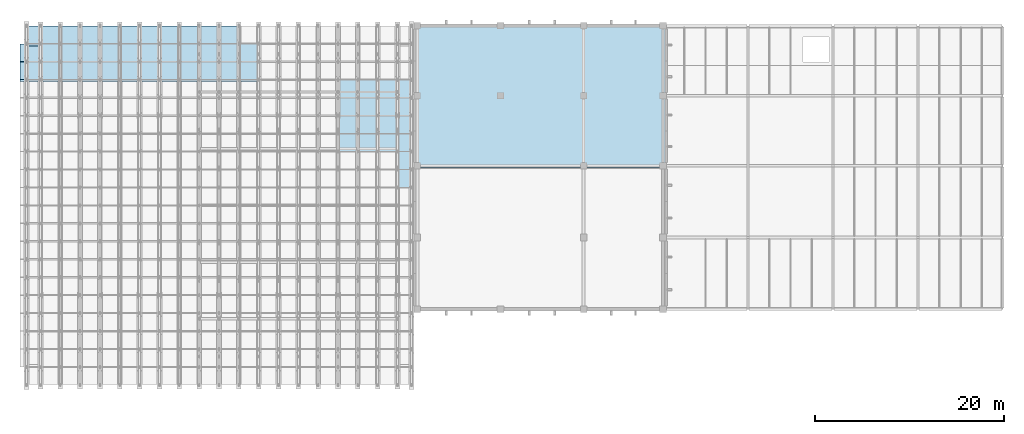
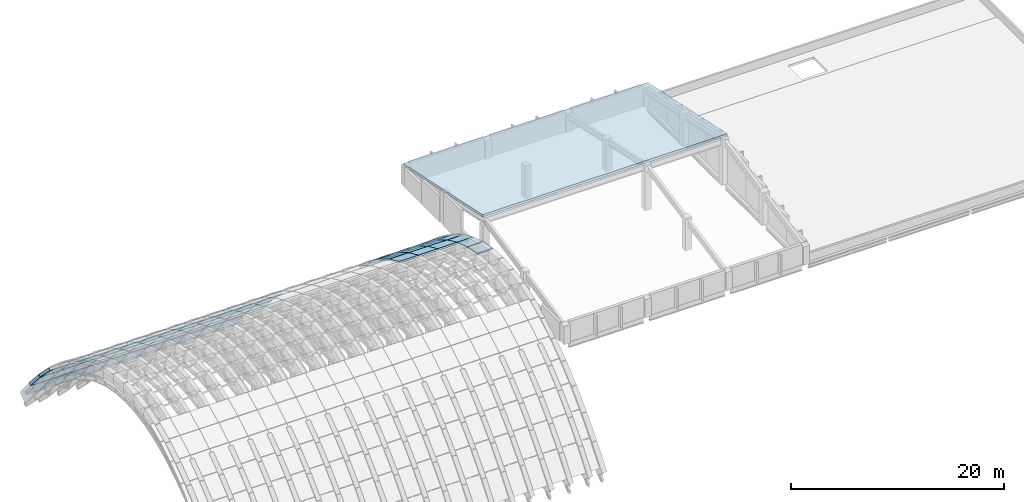
# One storey, part 56 of 67: 53 plates, 1 slab, 1 element without a shape of its own.
"""IFC4 building model written with IfcOpenShell, lengths in metres."""

from ifc_helpers import new_model, si_unit, direction, frame, origin, place, context, subcontext, project, spatial, polyline, outline, extrude, material, layer, layer_set, type_object, element, aggregate, save


model = new_model("IFC4")

# Units and contexts
model_context = context("Model", 3, precision=1e-05, world=origin(), true_north=direction((0.0, 1.0)))
body_context = subcontext(model_context, "Body", "Model", "MODEL_VIEW")
ifc_project = project(units=[si_unit("LENGTHUNIT", "METRE"), si_unit("AREAUNIT", "SQUARE_METRE"), si_unit("VOLUMEUNIT", "CUBIC_METRE"), si_unit("PLANEANGLEUNIT", "RADIAN"), si_unit("MASSUNIT", "GRAM", prefix="KILO")], contexts=[model_context])

# Site, building, storey
site_placement = place(None, origin())
site = spatial("IfcSite", under=ifc_project, at=site_placement, CompositionType="ELEMENT")
building_placement = place(site_placement, origin())
building = spatial("IfcBuilding", under=site, at=building_placement, Name="Shengluoqiao Park Theatre", CompositionType="ELEMENT")
storey_placement = place(building_placement, frame((0.0, 0.0, 28.60009765625)))
storey = spatial("IfcBuildingStorey", under=building, at=storey_placement, Name="Roof", CompositionType="ELEMENT", Elevation=28.60009765625)

# Roof, plates
ifc_material = material(Name="Concrete C50", Category="concrete")
roof_type = type_object("IfcRoofType", Name="STR-ROOF-BARREL", PredefinedType="BARREL_ROOF", material=ifc_material)
roof_placement = place(storey_placement, origin())
roof = element("IfcRoof", 1, at=roof_placement, inside=storey, type_object=roof_type, Name="Main Theatre Barrel-Vault Thin-Shell Roof", PredefinedType="BARREL_ROOF")
ifc_layer_1 = layer(ifc_material, 0.340087890625, Name="Concrete C50")
ifc_layer_set_1 = layer_set([ifc_layer_1], Name="Concrete C50")
plate_type_1 = type_object("IfcPlateType", Name="STR-SHP-SP-01", PredefinedType="USERDEFINED", material=ifc_layer_set_1)
plate_1_placement = place(storey_placement, frame((44.97998046875, 112.117919921875, -7.027587890625), z_axis=(0.0, 0.783285756394, 0.621661824331), x_axis=(1.0, 0.0, 0.0)))
plate_1 = element("IfcPlate", 2, at=plate_1_placement, type_object=plate_type_1, Name="Barrel-Vault Shell Panel B01-S20", ObjectType="SHELL PANEL", PredefinedType="USERDEFINED", context=body_context, shape_type="SweptSolid", body=[
    extrude(outline(polyline([(0.0, 0.0), (1.52001953125, 0.0), (1.52001953125, 2.998436768866167), (0.0, 2.998436768866167), (0.0, 0.0)])), origin(), (0.0, 0.0, -1.0), 0.340087890625),
])
plate_2_placement = place(storey_placement, frame((46.5, 112.117919921875, -7.027587890625), z_axis=(0.0, 0.783285756394, 0.621661824331), x_axis=(1.0, 0.0, 0.0)))
plate_2 = element("IfcPlate", 3, at=plate_2_placement, type_object=plate_type_1, Name="Barrel-Vault Shell Panel B02-S20", ObjectType="SHELL PANEL", PredefinedType="USERDEFINED", context=body_context, shape_type="SweptSolid", body=[
    extrude(outline(polyline([(0.0, 0.0), (2.10009765625, 0.0), (2.10009765625, 2.998436768866167), (0.0, 2.998436768866167), (0.0, 0.0)])), origin(), (0.0, 0.0, -1.0), 0.340087890625),
])
plate_3_placement = place(storey_placement, frame((48.60009765625, 112.117919921875, -7.027587890625), z_axis=(0.0, 0.783285756394, 0.621661824331), x_axis=(1.0, 0.0, 0.0)))
plate_3 = element("IfcPlate", 4, at=plate_3_placement, type_object=plate_type_1, Name="Barrel-Vault Shell Panel B03-S20", ObjectType="SHELL PANEL", PredefinedType="USERDEFINED", context=body_context, shape_type="SweptSolid", body=[
    extrude(outline(polyline([(0.0, 0.0), (2.099853515625, 0.0), (2.099853515625, 2.9984367688661675), (0.0, 2.9984367688661675), (0.0, 0.0)])), origin(), (0.0, 0.0, -1.0), 0.340087890625),
])
plate_4_placement = place(storey_placement, frame((50.699951171875, 112.117919921875, -7.027587890625), z_axis=(0.0, 0.783285756394, 0.621661824331), x_axis=(1.0, 0.0, 0.0)))
plate_4 = element("IfcPlate", 5, at=plate_4_placement, type_object=plate_type_1, Name="Barrel-Vault Shell Panel B04-S20", ObjectType="SHELL PANEL", PredefinedType="USERDEFINED", context=body_context, shape_type="SweptSolid", body=[
    extrude(outline(polyline([(0.0, 0.0), (2.10009765625, 0.0), (2.10009765625, 2.998436768866167), (0.0, 2.998436768866167), (0.0, 0.0)])), origin(), (0.0, 0.0, -1.0), 0.340087890625),
])
plate_5_placement = place(storey_placement, frame((52.800048828125, 112.117919921875, -7.027587890625), z_axis=(0.0, 0.783285756394, 0.621661824331), x_axis=(1.0, 0.0, 0.0)))
plate_5 = element("IfcPlate", 6, at=plate_5_placement, type_object=plate_type_1, Name="Barrel-Vault Shell Panel B05-S20", ObjectType="SHELL PANEL", PredefinedType="USERDEFINED", context=body_context, shape_type="SweptSolid", body=[
    extrude(outline(polyline([(0.0, 0.0), (2.099853515625, 0.0), (2.099853515625, 2.9984367688661675), (0.0, 2.9984367688661675), (0.0, 0.0)])), origin(), (0.0, 0.0, -1.0), 0.340087890625),
])
plate_6_placement = place(storey_placement, frame((54.89990234375, 112.117919921875, -7.027587890625), z_axis=(0.0, 0.783285756394, 0.621661824331), x_axis=(1.0, 0.0, 0.0)))
plate_6 = element("IfcPlate", 7, at=plate_6_placement, type_object=plate_type_1, Name="Barrel-Vault Shell Panel B06-S20", ObjectType="SHELL PANEL", PredefinedType="USERDEFINED", context=body_context, shape_type="SweptSolid", body=[
    extrude(outline(polyline([(0.0, 0.0), (2.10009765625, 0.0), (2.10009765625, 2.998436768866167), (0.0, 2.998436768866167), (0.0, 0.0)])), origin(), (0.0, 0.0, -1.0), 0.340087890625),
])
plate_7_placement = place(storey_placement, frame((57.0, 112.117919921875, -7.027587890625), z_axis=(0.0, 0.783285756394, 0.621661824331), x_axis=(1.0, 0.0, 0.0)))
plate_7 = element("IfcPlate", 8, at=plate_7_placement, type_object=plate_type_1, Name="Barrel-Vault Shell Panel B07-S20", ObjectType="SHELL PANEL", PredefinedType="USERDEFINED", context=body_context, shape_type="SweptSolid", body=[
    extrude(outline(polyline([(0.0, 0.0), (2.10009765625, 0.0), (2.10009765625, 2.998436768866167), (0.0, 2.998436768866167), (0.0, 0.0)])), origin(), (0.0, 0.0, -1.0), 0.340087890625),
])
plate_8_placement = place(storey_placement, frame((59.10009765625, 112.117919921875, -7.027587890625), z_axis=(0.0, 0.783285756394, 0.621661824331), x_axis=(1.0, 0.0, 0.0)))
plate_8 = element("IfcPlate", 9, at=plate_8_placement, type_object=plate_type_1, Name="Barrel-Vault Shell Panel B08-S20", ObjectType="SHELL PANEL", PredefinedType="USERDEFINED", context=body_context, shape_type="SweptSolid", body=[
    extrude(outline(polyline([(0.0, 0.0), (2.099853515625, 0.0), (2.099853515625, 2.9984367688661675), (0.0, 2.9984367688661675), (0.0, 0.0)])), origin(), (0.0, 0.0, -1.0), 0.340087890625),
])
plate_9_placement = place(storey_placement, frame((61.199951171875, 112.117919921875, -7.027587890625), z_axis=(0.0, 0.783285756394, 0.621661824331), x_axis=(1.0, 0.0, 0.0)))
plate_9 = element("IfcPlate", 10, at=plate_9_placement, type_object=plate_type_1, Name="Barrel-Vault Shell Panel B09-S20", ObjectType="SHELL PANEL", PredefinedType="USERDEFINED", context=body_context, shape_type="SweptSolid", body=[
    extrude(outline(polyline([(0.0, 0.0), (2.10009765625, 0.0), (2.10009765625, 2.998436768866167), (0.0, 2.998436768866167), (0.0, 0.0)])), origin(), (0.0, 0.0, -1.0), 0.340087890625),
])
plate_10_placement = place(storey_placement, frame((63.300048828125, 112.117919921875, -7.027587890625), z_axis=(0.0, 0.783285756394, 0.621661824331), x_axis=(1.0, 0.0, 0.0)))
plate_10 = element("IfcPlate", 11, at=plate_10_placement, type_object=plate_type_1, Name="Barrel-Vault Shell Panel B10-S20", ObjectType="SHELL PANEL", PredefinedType="USERDEFINED", context=body_context, shape_type="SweptSolid", body=[
    extrude(outline(polyline([(0.0, 0.0), (2.099853515625, 0.0), (2.099853515625, 2.9984367688661675), (0.0, 2.9984367688661675), (0.0, 0.0)])), origin(), (0.0, 0.0, -1.0), 0.340087890625),
])
plate_11_placement = place(storey_placement, frame((65.39990234375, 112.117919921875, -7.027587890625), z_axis=(0.0, 0.783285756394, 0.621661824331), x_axis=(1.0, 0.0, 0.0)))
plate_11 = element("IfcPlate", 12, at=plate_11_placement, type_object=plate_type_1, Name="Barrel-Vault Shell Panel B11-S20", ObjectType="SHELL PANEL", PredefinedType="USERDEFINED", context=body_context, shape_type="SweptSolid", body=[
    extrude(outline(polyline([(0.0, 0.0), (2.10009765625, 0.0), (2.10009765625, 2.998436768866167), (0.0, 2.998436768866167), (0.0, 0.0)])), origin(), (0.0, 0.0, -1.0), 0.340087890625),
])
ifc_layer_2 = layer(ifc_material, 0.31005859375, Name="Concrete C50")
ifc_layer_set_2 = layer_set([ifc_layer_2], Name="Concrete C50")
plate_type_2 = type_object("IfcPlateType", Name="STR-SHP-SP-02", PredefinedType="USERDEFINED", material=ifc_layer_set_2)
plate_12_placement = place(storey_placement, frame((44.340087890625, 110.218017578125, -4.88330078125), z_axis=(0.0, 0.7480850773, 0.663602830857), x_axis=(1.0, 0.0, 0.0)))
plate_12 = element("IfcPlate", 13, at=plate_12_placement, type_object=plate_type_2, Name="Barrel-Vault Shell Panel B01-S19", ObjectType="SHELL PANEL", PredefinedType="USERDEFINED", context=body_context, shape_type="SweptSolid", body=[
    extrude(outline(polyline([(0.0, 0.0), (2.159912109375, 0.0), (2.159912109375, 2.8089296567168356), (0.0, 2.8089296567168356), (0.0, 0.0)])), origin(), (0.0, 0.0, -1.0), 0.31005859375),
])
plate_13_placement = place(storey_placement, frame((46.5, 110.218017578125, -4.88330078125), z_axis=(0.0, 0.7480850773, 0.663602830857), x_axis=(1.0, 0.0, 0.0)))
plate_13 = element("IfcPlate", 14, at=plate_13_placement, type_object=plate_type_2, Name="Barrel-Vault Shell Panel B02-S19", ObjectType="SHELL PANEL", PredefinedType="USERDEFINED", context=body_context, shape_type="SweptSolid", body=[
    extrude(outline(polyline([(0.0, 0.0), (2.10009765625, 0.0), (2.10009765625, 2.808929656716836), (0.0, 2.808929656716836), (0.0, 0.0)])), origin(), (0.0, 0.0, -1.0), 0.31005859375),
])
plate_14_placement = place(storey_placement, frame((48.60009765625, 110.218017578125, -4.88330078125), z_axis=(0.0, 0.7480850773, 0.663602830857), x_axis=(1.0, 0.0, 0.0)))
plate_14 = element("IfcPlate", 15, at=plate_14_placement, type_object=plate_type_2, Name="Barrel-Vault Shell Panel B03-S19", ObjectType="SHELL PANEL", PredefinedType="USERDEFINED", context=body_context, shape_type="SweptSolid", body=[
    extrude(outline(polyline([(0.0, 0.0), (2.099853515625, 0.0), (2.099853515625, 2.8089296567168356), (0.0, 2.8089296567168356), (0.0, 0.0)])), origin(), (0.0, 0.0, -1.0), 0.31005859375),
])
plate_15_placement = place(storey_placement, frame((50.699951171875, 110.218017578125, -4.88330078125), z_axis=(0.0, 0.7480850773, 0.663602830857), x_axis=(1.0, 0.0, 0.0)))
plate_15 = element("IfcPlate", 16, at=plate_15_placement, type_object=plate_type_2, Name="Barrel-Vault Shell Panel B04-S19", ObjectType="SHELL PANEL", PredefinedType="USERDEFINED", context=body_context, shape_type="SweptSolid", body=[
    extrude(outline(polyline([(0.0, 0.0), (2.10009765625, 0.0), (2.10009765625, 2.808929656716836), (0.0, 2.808929656716836), (0.0, 0.0)])), origin(), (0.0, 0.0, -1.0), 0.31005859375),
])
plate_16_placement = place(storey_placement, frame((52.800048828125, 110.218017578125, -4.88330078125), z_axis=(0.0, 0.7480850773, 0.663602830857), x_axis=(1.0, 0.0, 0.0)))
plate_16 = element("IfcPlate", 17, at=plate_16_placement, type_object=plate_type_2, Name="Barrel-Vault Shell Panel B05-S19", ObjectType="SHELL PANEL", PredefinedType="USERDEFINED", context=body_context, shape_type="SweptSolid", body=[
    extrude(outline(polyline([(0.0, 0.0), (2.099853515625, 0.0), (2.099853515625, 2.8089296567168356), (0.0, 2.8089296567168356), (0.0, 0.0)])), origin(), (0.0, 0.0, -1.0), 0.31005859375),
])
plate_17_placement = place(storey_placement, frame((54.89990234375, 110.218017578125, -4.88330078125), z_axis=(0.0, 0.7480850773, 0.663602830857), x_axis=(1.0, 0.0, 0.0)))
plate_17 = element("IfcPlate", 18, at=plate_17_placement, type_object=plate_type_2, Name="Barrel-Vault Shell Panel B06-S19", ObjectType="SHELL PANEL", PredefinedType="USERDEFINED", context=body_context, shape_type="SweptSolid", body=[
    extrude(outline(polyline([(0.0, 0.0), (2.10009765625, 0.0), (2.10009765625, 2.808929656716836), (0.0, 2.808929656716836), (0.0, 0.0)])), origin(), (0.0, 0.0, -1.0), 0.31005859375),
])
plate_18_placement = place(storey_placement, frame((57.0, 110.218017578125, -4.88330078125), z_axis=(0.0, 0.7480850773, 0.663602830857), x_axis=(1.0, 0.0, 0.0)))
plate_18 = element("IfcPlate", 19, at=plate_18_placement, type_object=plate_type_2, Name="Barrel-Vault Shell Panel B07-S19", ObjectType="SHELL PANEL", PredefinedType="USERDEFINED", context=body_context, shape_type="SweptSolid", body=[
    extrude(outline(polyline([(0.0, 0.0), (2.10009765625, 0.0), (2.10009765625, 2.808929656716836), (0.0, 2.808929656716836), (0.0, 0.0)])), origin(), (0.0, 0.0, -1.0), 0.31005859375),
])
plate_19_placement = place(storey_placement, frame((59.10009765625, 110.218017578125, -4.88330078125), z_axis=(0.0, 0.7480850773, 0.663602830857), x_axis=(1.0, 0.0, 0.0)))
plate_19 = element("IfcPlate", 20, at=plate_19_placement, type_object=plate_type_2, Name="Barrel-Vault Shell Panel B08-S19", ObjectType="SHELL PANEL", PredefinedType="USERDEFINED", context=body_context, shape_type="SweptSolid", body=[
    extrude(outline(polyline([(0.0, 0.0), (2.099853515625, 0.0), (2.099853515625, 2.8089296567168356), (0.0, 2.8089296567168356), (0.0, 0.0)])), origin(), (0.0, 0.0, -1.0), 0.31005859375),
])
plate_20_placement = place(storey_placement, frame((61.199951171875, 110.218017578125, -4.88330078125), z_axis=(0.0, 0.7480850773, 0.663602830857), x_axis=(1.0, 0.0, 0.0)))
plate_20 = element("IfcPlate", 21, at=plate_20_placement, type_object=plate_type_2, Name="Barrel-Vault Shell Panel B09-S19", ObjectType="SHELL PANEL", PredefinedType="USERDEFINED", context=body_context, shape_type="SweptSolid", body=[
    extrude(outline(polyline([(0.0, 0.0), (2.10009765625, 0.0), (2.10009765625, 2.808929656716836), (0.0, 2.808929656716836), (0.0, 0.0)])), origin(), (0.0, 0.0, -1.0), 0.31005859375),
])
plate_21_placement = place(storey_placement, frame((63.300048828125, 110.218017578125, -4.88330078125), z_axis=(0.0, 0.7480850773, 0.663602830857), x_axis=(1.0, 0.0, 0.0)))
plate_21 = element("IfcPlate", 22, at=plate_21_placement, type_object=plate_type_2, Name="Barrel-Vault Shell Panel B10-S19", ObjectType="SHELL PANEL", PredefinedType="USERDEFINED", context=body_context, shape_type="SweptSolid", body=[
    extrude(outline(polyline([(0.0, 0.0), (2.099853515625, 0.0), (2.099853515625, 2.8089296567168356), (0.0, 2.8089296567168356), (0.0, 0.0)])), origin(), (0.0, 0.0, -1.0), 0.31005859375),
])
plate_22_placement = place(storey_placement, frame((65.39990234375, 110.218017578125, -4.88330078125), z_axis=(0.0, 0.7480850773, 0.663602830857), x_axis=(1.0, 0.0, 0.0)))
plate_22 = element("IfcPlate", 23, at=plate_22_placement, type_object=plate_type_2, Name="Barrel-Vault Shell Panel B11-S19", ObjectType="SHELL PANEL", PredefinedType="USERDEFINED", context=body_context, shape_type="SweptSolid", body=[
    extrude(outline(polyline([(0.0, 0.0), (2.10009765625, 0.0), (2.10009765625, 2.808929656716836), (0.0, 2.808929656716836), (0.0, 0.0)])), origin(), (0.0, 0.0, -1.0), 0.31005859375),
])
plate_23_placement = place(storey_placement, frame((67.5, 110.218017578125, -4.88330078125), z_axis=(0.0, 0.7480850773, 0.663602830857), x_axis=(1.0, 0.0, 0.0)))
plate_23 = element("IfcPlate", 24, at=plate_23_placement, type_object=plate_type_2, Name="Barrel-Vault Shell Panel B12-S19", ObjectType="SHELL PANEL", PredefinedType="USERDEFINED", context=body_context, shape_type="SweptSolid", body=[
    extrude(outline(polyline([(0.0, 0.0), (2.10009765625, 0.0), (2.10009765625, 2.808929656716836), (0.0, 2.808929656716836), (0.0, 0.0)])), origin(), (0.0, 0.0, -1.0), 0.31005859375),
])
ifc_layer_3 = layer(ifc_material, 0.280029296875, Name="Concrete C50")
ifc_layer_set_3 = layer_set([ifc_layer_3], Name="Concrete C50")
plate_type_3 = type_object("IfcPlateType", Name="STR-SHP-SP-03", PredefinedType="USERDEFINED", material=ifc_layer_set_3)
plate_24_placement = place(storey_placement, frame((44.340087890625, 108.318115234375, -2.99072265625), z_axis=(0.0, 0.705293636194, 0.708915288835), x_axis=(1.0, 0.0, 0.0)))
plate_24 = element("IfcPlate", 25, at=plate_24_placement, type_object=plate_type_3, Name="Barrel-Vault Shell Panel B01-S18", ObjectType="SHELL PANEL", PredefinedType="USERDEFINED", context=body_context, shape_type="SweptSolid", body=[
    extrude(outline(polyline([(0.0, 0.0), (2.159912109375, 0.0), (2.159912109375, 2.6290440629543657), (0.0, 2.6290440629543657), (0.0, 0.0)])), origin(), (0.0, 0.0, -1.0), 0.280029296875),
])
plate_25_placement = place(storey_placement, frame((46.5, 108.318115234375, -2.99072265625), z_axis=(0.0, 0.705293636194, 0.708915288835), x_axis=(1.0, 0.0, 0.0)))
plate_25 = element("IfcPlate", 26, at=plate_25_placement, type_object=plate_type_3, Name="Barrel-Vault Shell Panel B02-S18", ObjectType="SHELL PANEL", PredefinedType="USERDEFINED", context=body_context, shape_type="SweptSolid", body=[
    extrude(outline(polyline([(0.0, 0.0), (2.10009765625, 0.0), (2.10009765625, 2.629044062954365), (0.0, 2.629044062954365), (0.0, 0.0)])), origin(), (0.0, 0.0, -1.0), 0.280029296875),
])
plate_26_placement = place(storey_placement, frame((48.60009765625, 108.318115234375, -2.99072265625), z_axis=(0.0, 0.705293636194, 0.708915288835), x_axis=(1.0, 0.0, 0.0)))
plate_26 = element("IfcPlate", 27, at=plate_26_placement, type_object=plate_type_3, Name="Barrel-Vault Shell Panel B03-S18", ObjectType="SHELL PANEL", PredefinedType="USERDEFINED", context=body_context, shape_type="SweptSolid", body=[
    extrude(outline(polyline([(0.0, 0.0), (2.099853515625, 0.0), (2.099853515625, 2.629044062954365), (0.0, 2.629044062954365), (0.0, 0.0)])), origin(), (0.0, 0.0, -1.0), 0.280029296875),
])
plate_27_placement = place(storey_placement, frame((50.699951171875, 108.318115234375, -2.99072265625), z_axis=(0.0, 0.705293636194, 0.708915288835), x_axis=(1.0, 0.0, 0.0)))
plate_27 = element("IfcPlate", 28, at=plate_27_placement, type_object=plate_type_3, Name="Barrel-Vault Shell Panel B04-S18", ObjectType="SHELL PANEL", PredefinedType="USERDEFINED", context=body_context, shape_type="SweptSolid", body=[
    extrude(outline(polyline([(0.0, 0.0), (2.10009765625, 0.0), (2.10009765625, 2.629044062954365), (0.0, 2.629044062954365), (0.0, 0.0)])), origin(), (0.0, 0.0, -1.0), 0.280029296875),
])
plate_28_placement = place(storey_placement, frame((52.800048828125, 108.318115234375, -2.99072265625), z_axis=(0.0, 0.705293636194, 0.708915288835), x_axis=(1.0, 0.0, 0.0)))
plate_28 = element("IfcPlate", 29, at=plate_28_placement, type_object=plate_type_3, Name="Barrel-Vault Shell Panel B05-S18", ObjectType="SHELL PANEL", PredefinedType="USERDEFINED", context=body_context, shape_type="SweptSolid", body=[
    extrude(outline(polyline([(0.0, 0.0), (2.099853515625, 0.0), (2.099853515625, 2.629044062954365), (0.0, 2.629044062954365), (0.0, 0.0)])), origin(), (0.0, 0.0, -1.0), 0.280029296875),
])
plate_29_placement = place(storey_placement, frame((54.89990234375, 108.318115234375, -2.99072265625), z_axis=(0.0, 0.705293636194, 0.708915288835), x_axis=(1.0, 0.0, 0.0)))
plate_29 = element("IfcPlate", 30, at=plate_29_placement, type_object=plate_type_3, Name="Barrel-Vault Shell Panel B06-S18", ObjectType="SHELL PANEL", PredefinedType="USERDEFINED", context=body_context, shape_type="SweptSolid", body=[
    extrude(outline(polyline([(0.0, 0.0), (2.10009765625, 0.0), (2.10009765625, 2.629044062954365), (0.0, 2.629044062954365), (0.0, 0.0)])), origin(), (0.0, 0.0, -1.0), 0.280029296875),
])
plate_30_placement = place(storey_placement, frame((57.0, 108.318115234375, -2.99072265625), z_axis=(0.0, 0.705293636194, 0.708915288835), x_axis=(1.0, 0.0, 0.0)))
plate_30 = element("IfcPlate", 31, at=plate_30_placement, type_object=plate_type_3, Name="Barrel-Vault Shell Panel B07-S18", ObjectType="SHELL PANEL", PredefinedType="USERDEFINED", context=body_context, shape_type="SweptSolid", body=[
    extrude(outline(polyline([(0.0, 0.0), (2.10009765625, 0.0), (2.10009765625, 2.629044062954365), (0.0, 2.629044062954365), (0.0, 0.0)])), origin(), (0.0, 0.0, -1.0), 0.280029296875),
])
plate_31_placement = place(storey_placement, frame((59.10009765625, 108.318115234375, -2.99072265625), z_axis=(0.0, 0.705293636194, 0.708915288835), x_axis=(1.0, 0.0, 0.0)))
plate_31 = element("IfcPlate", 32, at=plate_31_placement, type_object=plate_type_3, Name="Barrel-Vault Shell Panel B08-S18", ObjectType="SHELL PANEL", PredefinedType="USERDEFINED", context=body_context, shape_type="SweptSolid", body=[
    extrude(outline(polyline([(0.0, 0.0), (2.099853515625, 0.0), (2.099853515625, 2.629044062954365), (0.0, 2.629044062954365), (0.0, 0.0)])), origin(), (0.0, 0.0, -1.0), 0.280029296875),
])
plate_32_placement = place(storey_placement, frame((61.199951171875, 108.318115234375, -2.99072265625), z_axis=(0.0, 0.705293636194, 0.708915288835), x_axis=(1.0, 0.0, 0.0)))
plate_32 = element("IfcPlate", 33, at=plate_32_placement, type_object=plate_type_3, Name="Barrel-Vault Shell Panel B09-S18", ObjectType="SHELL PANEL", PredefinedType="USERDEFINED", context=body_context, shape_type="SweptSolid", body=[
    extrude(outline(polyline([(0.0, 0.0), (2.10009765625, 0.0), (2.10009765625, 2.629044062954365), (0.0, 2.629044062954365), (0.0, 0.0)])), origin(), (0.0, 0.0, -1.0), 0.280029296875),
])
plate_33_placement = place(storey_placement, frame((63.300048828125, 108.318115234375, -2.99072265625), z_axis=(0.0, 0.705293636194, 0.708915288835), x_axis=(1.0, 0.0, 0.0)))
plate_33 = element("IfcPlate", 34, at=plate_33_placement, type_object=plate_type_3, Name="Barrel-Vault Shell Panel B10-S18", ObjectType="SHELL PANEL", PredefinedType="USERDEFINED", context=body_context, shape_type="SweptSolid", body=[
    extrude(outline(polyline([(0.0, 0.0), (2.099853515625, 0.0), (2.099853515625, 2.629044062954365), (0.0, 2.629044062954365), (0.0, 0.0)])), origin(), (0.0, 0.0, -1.0), 0.280029296875),
])
plate_34_placement = place(storey_placement, frame((65.39990234375, 108.318115234375, -2.99072265625), z_axis=(0.0, 0.705293636194, 0.708915288835), x_axis=(1.0, 0.0, 0.0)))
plate_34 = element("IfcPlate", 35, at=plate_34_placement, type_object=plate_type_3, Name="Barrel-Vault Shell Panel B11-S18", ObjectType="SHELL PANEL", PredefinedType="USERDEFINED", context=body_context, shape_type="SweptSolid", body=[
    extrude(outline(polyline([(0.0, 0.0), (2.10009765625, 0.0), (2.10009765625, 2.629044062954365), (0.0, 2.629044062954365), (0.0, 0.0)])), origin(), (0.0, 0.0, -1.0), 0.280029296875),
])
plate_35_placement = place(storey_placement, frame((67.5, 108.318115234375, -2.99072265625), z_axis=(0.0, 0.705293636194, 0.708915288835), x_axis=(1.0, 0.0, 0.0)))
plate_35 = element("IfcPlate", 36, at=plate_35_placement, type_object=plate_type_3, Name="Barrel-Vault Shell Panel B12-S18", ObjectType="SHELL PANEL", PredefinedType="USERDEFINED", context=body_context, shape_type="SweptSolid", body=[
    extrude(outline(polyline([(0.0, 0.0), (2.10009765625, 0.0), (2.10009765625, 2.629044062954365), (0.0, 2.629044062954365), (0.0, 0.0)])), origin(), (0.0, 0.0, -1.0), 0.280029296875),
])
ifc_layer_4 = layer(ifc_material, 0.25, Name="Concrete C50")
ifc_layer_set_4 = layer_set([ifc_layer_4], Name="Concrete C50")
plate_type_4 = type_object("IfcPlateType", Name="STR-SHP-SP-04", PredefinedType="USERDEFINED", material=ifc_layer_set_4)
plate_36_placement = place(storey_placement, frame((78.0, 106.41796875, -1.350341796875), z_axis=(0.0, 0.653002411915, 0.757355827886), x_axis=(1.0, 0.0, 0.0)))
plate_36 = element("IfcPlate", 37, at=plate_36_placement, type_object=plate_type_4, Name="Barrel-Vault Shell Panel B17-S17", ObjectType="SHELL PANEL", PredefinedType="USERDEFINED", context=body_context, shape_type="SweptSolid", body=[
    extrude(outline(polyline([(0.0, 0.0), (2.10009765625, 0.0), (2.10009765625, 2.461212554577048), (0.0, 2.461212554577048), (0.0, 0.0)])), origin(), (0.0, 0.0, -1.0), 0.25),
])
plate_37_placement = place(storey_placement, frame((80.10009765625, 106.41796875, -1.350341796875), z_axis=(0.0, 0.653002411915, 0.757355827886), x_axis=(1.0, 0.0, 0.0)))
plate_37 = element("IfcPlate", 38, at=plate_37_placement, type_object=plate_type_4, Name="Barrel-Vault Shell Panel B18-S17", ObjectType="SHELL PANEL", PredefinedType="USERDEFINED", context=body_context, shape_type="SweptSolid", body=[
    extrude(outline(polyline([(0.0, 0.0), (2.099853515625, 0.0), (2.099853515625, 2.461212554577048), (0.0, 2.461212554577048), (0.0, 0.0)])), origin(), (0.0, 0.0, -1.0), 0.25),
])
plate_38_placement = place(storey_placement, frame((82.199951171875, 106.41796875, -1.350341796875), z_axis=(0.0, 0.653002411915, 0.757355827886), x_axis=(1.0, 0.0, 0.0)))
plate_38 = element("IfcPlate", 39, at=plate_38_placement, type_object=plate_type_4, Name="Barrel-Vault Shell Panel B19-S17", ObjectType="SHELL PANEL", PredefinedType="USERDEFINED", context=body_context, shape_type="SweptSolid", body=[
    extrude(outline(polyline([(0.0, 0.0), (2.10009765625, 0.0), (2.10009765625, 2.461212554577048), (0.0, 2.461212554577048), (0.0, 0.0)])), origin(), (0.0, 0.0, -1.0), 0.25),
])
plate_39_placement = place(storey_placement, frame((84.300048828125, 106.41796875, -1.350341796875), z_axis=(0.0, 0.653002411915, 0.757355827886), x_axis=(1.0, 0.0, 0.0)))
plate_39 = element("IfcPlate", 40, at=plate_39_placement, type_object=plate_type_4, Name="Barrel-Vault Shell Panel B20-S17", ObjectType="SHELL PANEL", PredefinedType="USERDEFINED", context=body_context, shape_type="SweptSolid", body=[
    extrude(outline(polyline([(0.0, 0.0), (1.719970703125, 0.0), (1.719970703125, 2.4612125545770476), (0.0, 2.4612125545770476), (0.0, 0.0)])), origin(), (0.0, 0.0, -1.0), 0.25),
])
ifc_layer_5 = layer(ifc_material, 0.219970703125, Name="Concrete C50")
ifc_layer_set_5 = layer_set([ifc_layer_5], Name="Concrete C50")
plate_type_5 = type_object("IfcPlateType", Name="STR-SHP-SP-05", PredefinedType="USERDEFINED", material=ifc_layer_set_5)
plate_40_placement = place(storey_placement, frame((78.0, 104.51806640625, 0.037841796875), z_axis=(0.0, 0.589297368188, 0.807916215858), x_axis=(1.0, 0.0, 0.0)))
plate_40 = element("IfcPlate", 41, at=plate_40_placement, type_object=plate_type_5, Name="Barrel-Vault Shell Panel B17-S16", ObjectType="SHELL PANEL", PredefinedType="USERDEFINED", context=body_context, shape_type="SweptSolid", body=[
    extrude(outline(polyline([(0.0, 0.0), (2.10009765625, 0.0), (2.10009765625, 2.307186853397614), (0.0, 2.307186853397614), (0.0, 0.0)])), origin(), (0.0, 0.0, -1.0), 0.219970703125),
])
plate_41_placement = place(storey_placement, frame((80.10009765625, 104.51806640625, 0.037841796875), z_axis=(0.0, 0.589297368188, 0.807916215858), x_axis=(1.0, 0.0, 0.0)))
plate_41 = element("IfcPlate", 42, at=plate_41_placement, type_object=plate_type_5, Name="Barrel-Vault Shell Panel B18-S16", ObjectType="SHELL PANEL", PredefinedType="USERDEFINED", context=body_context, shape_type="SweptSolid", body=[
    extrude(outline(polyline([(0.0, 0.0), (2.099853515625, 0.0), (2.099853515625, 2.307186853397614), (0.0, 2.307186853397614), (0.0, 0.0)])), origin(), (0.0, 0.0, -1.0), 0.219970703125),
])
plate_42_placement = place(storey_placement, frame((82.199951171875, 104.51806640625, 0.037841796875), z_axis=(0.0, 0.589297368188, 0.807916215858), x_axis=(1.0, 0.0, 0.0)))
plate_42 = element("IfcPlate", 43, at=plate_42_placement, type_object=plate_type_5, Name="Barrel-Vault Shell Panel B19-S16", ObjectType="SHELL PANEL", PredefinedType="USERDEFINED", context=body_context, shape_type="SweptSolid", body=[
    extrude(outline(polyline([(0.0, 0.0), (2.10009765625, 0.0), (2.10009765625, 2.307186853397614), (0.0, 2.307186853397614), (0.0, 0.0)])), origin(), (0.0, 0.0, -1.0), 0.219970703125),
])
plate_43_placement = place(storey_placement, frame((84.300048828125, 104.51806640625, 0.037841796875), z_axis=(0.0, 0.589297368188, 0.807916215858), x_axis=(1.0, 0.0, 0.0)))
plate_43 = element("IfcPlate", 44, at=plate_43_placement, type_object=plate_type_5, Name="Barrel-Vault Shell Panel B20-S16", ObjectType="SHELL PANEL", PredefinedType="USERDEFINED", context=body_context, shape_type="SweptSolid", body=[
    extrude(outline(polyline([(0.0, 0.0), (1.719970703125, 0.0), (1.719970703125, 2.307186853397614), (0.0, 2.307186853397614), (0.0, 0.0)])), origin(), (0.0, 0.0, -1.0), 0.219970703125),
])
ifc_layer_6 = layer(ifc_material, 0.199951171875, Name="Concrete C50")
ifc_layer_set_6 = layer_set([ifc_layer_6], Name="Concrete C50")
plate_type_6 = type_object("IfcPlateType", Name="STR-SHP-SP-06", PredefinedType="USERDEFINED", material=ifc_layer_set_6)
plate_44_placement = place(storey_placement, frame((78.0, 102.617919921875, 1.17431640625), z_axis=(0.0, 0.512509675023, 0.858681450253), x_axis=(1.0, 0.0, 0.0)))
plate_44 = element("IfcPlate", 45, at=plate_44_placement, type_object=plate_type_6, Name="Barrel-Vault Shell Panel B17-S15", ObjectType="SHELL PANEL", PredefinedType="USERDEFINED", context=body_context, shape_type="SweptSolid", body=[
    extrude(outline(polyline([(0.0, 0.0), (2.10009765625, 0.0), (2.10009765625, 2.1707860014057654), (0.0, 2.1707860014057654), (0.0, 0.0)])), origin(), (0.0, 0.0, -1.0), 0.199951171875),
])
plate_45_placement = place(storey_placement, frame((80.10009765625, 102.617919921875, 1.17431640625), z_axis=(0.0, 0.512509675023, 0.858681450253), x_axis=(1.0, 0.0, 0.0)))
plate_45 = element("IfcPlate", 46, at=plate_45_placement, type_object=plate_type_6, Name="Barrel-Vault Shell Panel B18-S15", ObjectType="SHELL PANEL", PredefinedType="USERDEFINED", context=body_context, shape_type="SweptSolid", body=[
    extrude(outline(polyline([(0.0, 0.0), (2.099853515625, 0.0), (2.099853515625, 2.1707860014057654), (0.0, 2.1707860014057654), (0.0, 0.0)])), origin(), (0.0, 0.0, -1.0), 0.199951171875),
])
plate_46_placement = place(storey_placement, frame((82.199951171875, 102.617919921875, 1.17431640625), z_axis=(0.0, 0.512509675023, 0.858681450253), x_axis=(1.0, 0.0, 0.0)))
plate_46 = element("IfcPlate", 47, at=plate_46_placement, type_object=plate_type_6, Name="Barrel-Vault Shell Panel B19-S15", ObjectType="SHELL PANEL", PredefinedType="USERDEFINED", context=body_context, shape_type="SweptSolid", body=[
    extrude(outline(polyline([(0.0, 0.0), (2.10009765625, 0.0), (2.10009765625, 2.1707860014057654), (0.0, 2.1707860014057654), (0.0, 0.0)])), origin(), (0.0, 0.0, -1.0), 0.199951171875),
])
plate_47_placement = place(storey_placement, frame((84.300048828125, 102.617919921875, 1.17431640625), z_axis=(0.0, 0.512509675023, 0.858681450253), x_axis=(1.0, 0.0, 0.0)))
plate_47 = element("IfcPlate", 48, at=plate_47_placement, type_object=plate_type_6, Name="Barrel-Vault Shell Panel B20-S15", ObjectType="SHELL PANEL", PredefinedType="USERDEFINED", context=body_context, shape_type="SweptSolid", body=[
    extrude(outline(polyline([(0.0, 0.0), (1.719970703125, 0.0), (1.719970703125, 2.1707860014057654), (0.0, 2.1707860014057654), (0.0, 0.0)])), origin(), (0.0, 0.0, -1.0), 0.199951171875),
])
ifc_layer_7 = layer(ifc_material, 0.179931640625, Name="Concrete C50")
ifc_layer_set_7 = layer_set([ifc_layer_7], Name="Concrete C50")
plate_type_7 = type_object("IfcPlateType", Name="STR-SHP-SP-07", PredefinedType="USERDEFINED", material=ifc_layer_set_7)
plate_48_placement = place(storey_placement, frame((78.0, 100.718017578125, 2.058837890625), z_axis=(0.0, 0.421128757918, 0.907000865079), x_axis=(1.0, 0.0, 0.0)))
plate_48 = element("IfcPlate", 49, at=plate_48_placement, type_object=plate_type_7, Name="Barrel-Vault Shell Panel B17-S14", ObjectType="SHELL PANEL", PredefinedType="USERDEFINED", context=body_context, shape_type="SweptSolid", body=[
    extrude(outline(polyline([(0.0, 0.0), (2.10009765625, 0.0), (2.10009765625, 2.0551399051999777), (0.0, 2.0551399051999777), (0.0, 0.0)])), origin(), (0.0, 0.0, -1.0), 0.179931640625),
])
plate_49_placement = place(storey_placement, frame((80.10009765625, 100.718017578125, 2.058837890625), z_axis=(0.0, 0.421128757918, 0.907000865079), x_axis=(1.0, 0.0, 0.0)))
plate_49 = element("IfcPlate", 50, at=plate_49_placement, type_object=plate_type_7, Name="Barrel-Vault Shell Panel B18-S14", ObjectType="SHELL PANEL", PredefinedType="USERDEFINED", context=body_context, shape_type="SweptSolid", body=[
    extrude(outline(polyline([(0.0, 0.0), (2.099853515625, 0.0), (2.099853515625, 2.055139905199978), (0.0, 2.055139905199978), (0.0, 0.0)])), origin(), (0.0, 0.0, -1.0), 0.179931640625),
])
plate_50_placement = place(storey_placement, frame((82.199951171875, 100.718017578125, 2.058837890625), z_axis=(0.0, 0.421128757918, 0.907000865079), x_axis=(1.0, 0.0, 0.0)))
plate_50 = element("IfcPlate", 51, at=plate_50_placement, type_object=plate_type_7, Name="Barrel-Vault Shell Panel B19-S14", ObjectType="SHELL PANEL", PredefinedType="USERDEFINED", context=body_context, shape_type="SweptSolid", body=[
    extrude(outline(polyline([(0.0, 0.0), (2.10009765625, 0.0), (2.10009765625, 2.0551399051999777), (0.0, 2.0551399051999777), (0.0, 0.0)])), origin(), (0.0, 0.0, -1.0), 0.179931640625),
])
plate_51_placement = place(storey_placement, frame((84.300048828125, 100.718017578125, 2.058837890625), z_axis=(0.0, 0.421128757918, 0.907000865079), x_axis=(1.0, 0.0, 0.0)))
plate_51 = element("IfcPlate", 52, at=plate_51_placement, type_object=plate_type_7, Name="Barrel-Vault Shell Panel B20-S14", ObjectType="SHELL PANEL", PredefinedType="USERDEFINED", context=body_context, shape_type="SweptSolid", body=[
    extrude(outline(polyline([(0.0, 0.0), (1.719970703125, 0.0), (1.719970703125, 2.055139905199978), (0.0, 2.055139905199978), (0.0, 0.0)])), origin(), (0.0, 0.0, -1.0), 0.179931640625),
])
ifc_layer_8 = layer(ifc_material, 0.169921875, Name="Concrete C50")
ifc_layer_set_8 = layer_set([ifc_layer_8], Name="Concrete C50")
plate_type_8 = type_object("IfcPlateType", Name="STR-SHP-SP-08", PredefinedType="USERDEFINED", material=ifc_layer_set_8)
plate_52_placement = place(storey_placement, frame((84.300048828125, 98.818115234375, 2.691162109375), z_axis=(0.0, 0.314810021978, 0.949154702913), x_axis=(1.0, 0.0, 0.0)))
plate_52 = element("IfcPlate", 53, at=plate_52_placement, type_object=plate_type_8, Name="Barrel-Vault Shell Panel B20-S13", ObjectType="SHELL PANEL", PredefinedType="USERDEFINED", context=body_context, shape_type="SweptSolid", body=[
    extrude(outline(polyline([(0.0, 0.0), (1.719970703125, 0.0), (1.719970703125, 1.9636098578338692), (0.0, 1.9636098578338692), (0.0, 0.0)])), origin(), (0.0, 0.0, -1.0), 0.169921875),
])
ifc_layer_9 = layer(ifc_material, 0.14990234375, Name="Concrete C50")
ifc_layer_set_9 = layer_set([ifc_layer_9], Name="Concrete C50")
plate_type_9 = type_object("IfcPlateType", Name="STR-SHP-SP-09", PredefinedType="USERDEFINED", material=ifc_layer_set_9)
plate_53_placement = place(storey_placement, frame((84.300048828125, 96.91796875, 3.071533203125), z_axis=(0.0, 0.195127896118, 0.980777805701), x_axis=(1.0, 0.0, 0.0)))
plate_53 = element("IfcPlate", 54, at=plate_53_placement, type_object=plate_type_9, Name="Barrel-Vault Shell Panel B20-S12", ObjectType="SHELL PANEL", PredefinedType="USERDEFINED", context=body_context, shape_type="SweptSolid", body=[
    extrude(outline(polyline([(0.0, 0.0), (1.719970703125, 0.0), (1.719970703125, 1.9005463429526024), (0.0, 1.9005463429526024), (0.0, 0.0)])), origin(), (0.0, 0.0, -1.0), 0.14990234375),
])
aggregate(roof, [plate_24, plate_12, plate_1, plate_25, plate_13, plate_2, plate_26, plate_14, plate_3, plate_27, plate_15, plate_4, plate_28, plate_16, plate_5, plate_29, plate_17, plate_6, plate_30, plate_18, plate_7, plate_31, plate_19, plate_8, plate_32, plate_20, plate_9, plate_33, plate_21, plate_10, plate_34, plate_22, plate_11, plate_35, plate_23, plate_48, plate_44, plate_40, plate_36, plate_49, plate_45, plate_41, plate_37, plate_50, plate_46, plate_42, plate_38, plate_53, plate_52, plate_51, plate_47, plate_43, plate_39])

# Slab
ifc_layer_10 = layer(ifc_material, 0.27001953125, Name="Concrete C50")
ifc_layer_set_10 = layer_set([ifc_layer_10], Name="Concrete C50")
slab_type = type_object("IfcSlabType", Name="STR-SLB-FLY270", PredefinedType="ROOF", material=ifc_layer_set_10)
slab_placement = place(storey_placement, frame((86.10009765625, 99.070068359375, 5.5849609375), z_axis=(0.0, 0.2078891726, 0.978152386858), x_axis=(1.0, 0.0, 0.0)))
element("IfcSlab", 55, at=slab_placement, inside=storey, type_object=slab_type, Name="V2 Fly Tower Pitched Roof North", PredefinedType="ROOF", context=body_context, shape_type="SweptSolid", body=[
    extrude(outline(polyline([(0.0, 0.0), (26.599853515625, 0.0), (26.599853515625, 15.263400510204987), (0.0, 15.263400510204987), (0.0, 0.0)])), origin(), (0.0, 0.0, -1.0), 0.27001953125),
])

save(model, "model.ifc")
